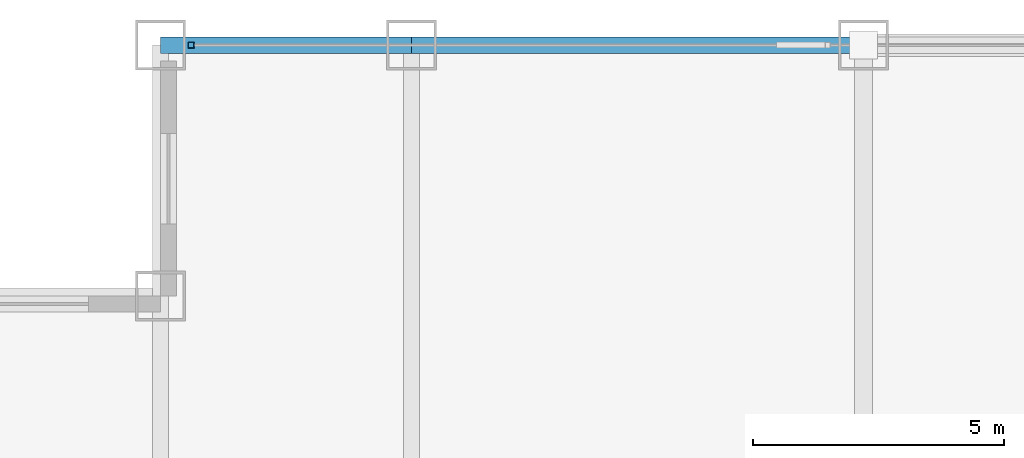
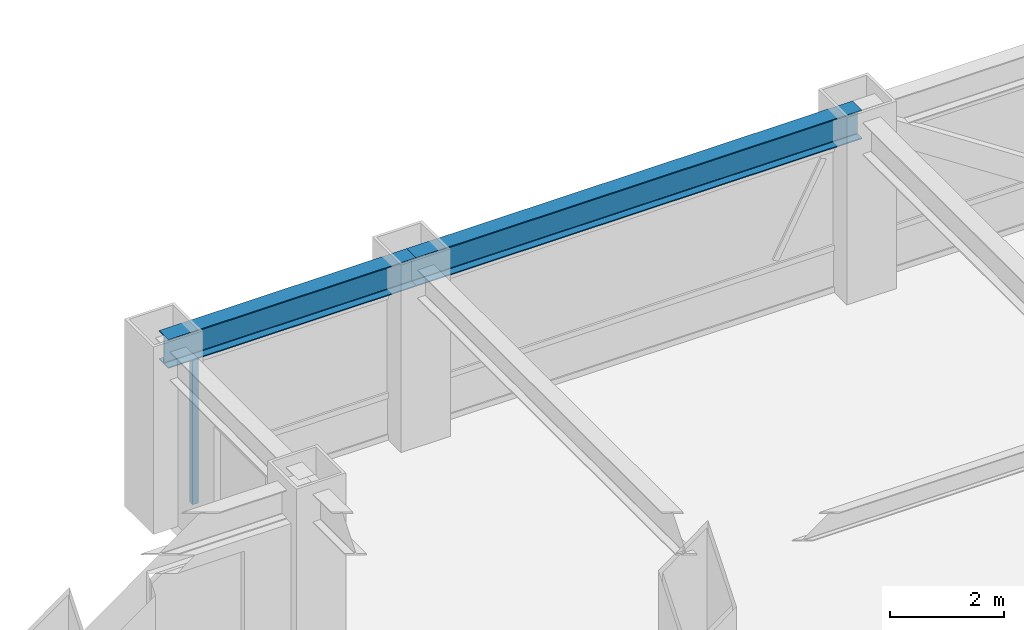
# One storey, part 14 of 25: 2 beams, 1 member, 1 element without a shape of its own.
"""IFC4 building model written with IfcOpenShell, lengths in metres."""

from ifc_helpers import new_model, si_unit, direction, frame, origin, origin_2d, place, context, subcontext, project, spatial, hollow_rectangle, i_section, extrude, source, transform, mapped, material, material_profile, profile_set, type_object, element, aggregate, save


model = new_model("IFC4")

# Units and contexts
model_context = context("Model", 3, precision=1e-05, world=origin(), true_north=direction((0.0, 1.0)))
body_context = subcontext(model_context, "Body", "Model", "MODEL_VIEW")
ifc_project = project(units=[si_unit("LENGTHUNIT", "METRE"), si_unit("AREAUNIT", "SQUARE_METRE"), si_unit("VOLUMEUNIT", "CUBIC_METRE"), si_unit("PLANEANGLEUNIT", "RADIAN"), si_unit("MASSUNIT", "GRAM", prefix="KILO")], contexts=[model_context])

# Site, building, storey
site_placement = place(None, origin())
site = spatial("IfcSite", under=ifc_project, at=site_placement, CompositionType="ELEMENT")
building_placement = place(site_placement, origin())
building = spatial("IfcBuilding", under=site, at=building_placement, Name="Khorayat Bourse Tower", CompositionType="ELEMENT")
storey_placement = place(building_placement, frame((0.0, 0.0, 251.10009765625)))
storey = spatial("IfcBuildingStorey", under=building, at=storey_placement, Name="L59", CompositionType="ELEMENT", Elevation=251.10009765625)

# Beams
ifc_material_1 = material(Name="Steel ASTM A992 Grade 50", Category="steel")
ifc_material_profile_1 = material_profile(ifc_material_1, i_section(OverallWidth=0.324951171875, OverallDepth=0.615966796875, WebThickness=0.013916015625, FlangeThickness=0.021484375, FilletRadius=0.01611328125, at=origin_2d()), Name="W610X174")
ifc_profile_set_1 = profile_set([ifc_material_profile_1], Name="Steel ASTM A992 Grade 50")
beam_type = type_object("IfcBeamType", Name="BM-SPAN-610", PredefinedType="SPANDREL", material=ifc_profile_set_1)
shared_shape_1 = source(origin(), body_context, "Body", "SweptSolid", [
    extrude(i_section(OverallWidth=0.324951171875, OverallDepth=0.615966796875, WebThickness=0.013916015625, FlangeThickness=0.021484375, FilletRadius=0.01611328125, at=origin_2d()), origin(), (0.0, 0.0, 1.0), 9.0),
])
beam_1_placement = place(storey_placement, frame((-20.0, 30.0, 3.471923828125), z_axis=(1.0, 0.0, 0.0), x_axis=(0.0, 1.0, 0.0)))
element("IfcBeam", 1, at=beam_1_placement, inside=storey, type_object=beam_type, Name="L59 BM-SPAN-610 BM-L59-SPN-050", PredefinedType="SPANDREL", context=body_context, shape_type="MappedRepresentation", body=[
    mapped(shared_shape_1, transform((0.0, 0.0, 0.0), scale=1.0)),
])
shared_shape_2 = source(origin(), body_context, "Body", "SweptSolid", [
    extrude(i_section(OverallWidth=0.324951171875, OverallDepth=0.615966796875, WebThickness=0.013916015625, FlangeThickness=0.021484375, FilletRadius=0.01611328125, at=origin_2d()), origin(), (0.0, 0.0, 1.0), 5.0),
])
beam_2_placement = place(storey_placement, frame((-25.0, 30.0, 3.471923828125), z_axis=(1.0, 0.0, 0.0), x_axis=(0.0, 1.0, 0.0)))
element("IfcBeam", 2, at=beam_2_placement, inside=storey, type_object=beam_type, Name="L59 BM-SPAN-610 BM-L59-SPN-051", PredefinedType="SPANDREL", context=body_context, shape_type="MappedRepresentation", body=[
    mapped(shared_shape_2, transform((0.0, 0.0, 0.0), scale=1.0)),
])

# Curtain wall, member
ifc_material_2 = material(Name="Aluminium EN AW-6063 T6", Category="aluminium")
curtain_wall_type = type_object("IfcCurtainWallType", Name="CW-SYS-03", PredefinedType="NOTDEFINED", material=ifc_material_2)
curtain_wall_placement = place(storey_placement, origin())
curtain_wall = element("IfcCurtainWall", 3, at=curtain_wall_placement, inside=storey, type_object=curtain_wall_type, Name="L59 Curtain Wall CW-L59-N1", PredefinedType="NOTDEFINED")
ifc_material_profile_2 = material_profile(ifc_material_2, hollow_rectangle(XDim=0.1201171875, YDim=0.1201171875, WallThickness=0.0048828125, at=origin_2d()), Name="ALU 120x120x5")
ifc_profile_set_2 = profile_set([ifc_material_profile_2], Name="Aluminium EN AW-6063 T6")
member_type = type_object("IfcMemberType", Name="CWM-VERT-120", PredefinedType="MULLION", material=ifc_profile_set_2)
shared_shape_3 = source(origin(), body_context, "Body", "SweptSolid", [
    extrude(hollow_rectangle(XDim=0.1201171875, YDim=0.1201171875, WallThickness=0.0048828125, at=origin_2d()), origin(), (0.0, 0.0, 1.0), 3.1298828125),
])
member_placement = place(storey_placement, frame((-24.389892578125, 30.0, 0.0), z_axis=(0.0, 0.0, 1.0), x_axis=(0.0, 1.0, 0.0)))
member = element("IfcMember", 4, at=member_placement, type_object=member_type, Name="CW-L59-N1 Vertical Mullion 1", PredefinedType="MULLION", context=body_context, shape_type="MappedRepresentation", body=[
    mapped(shared_shape_3, transform((0.0, 0.0, 0.0), scale=1.0)),
])
aggregate(curtain_wall, [member])

save(model, "model.ifc")
